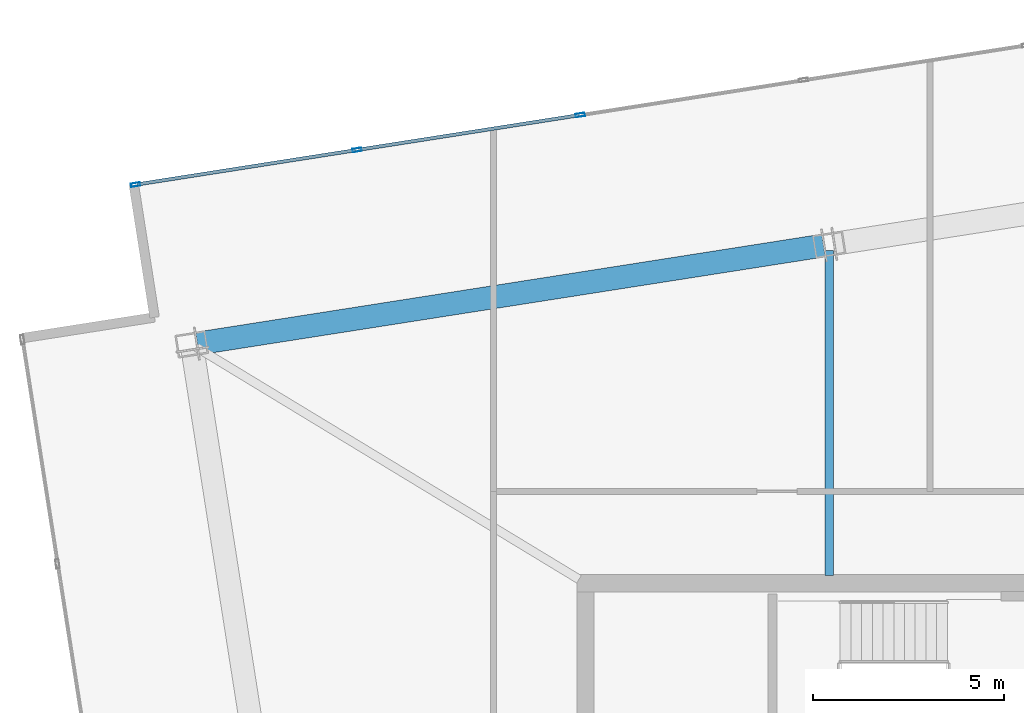
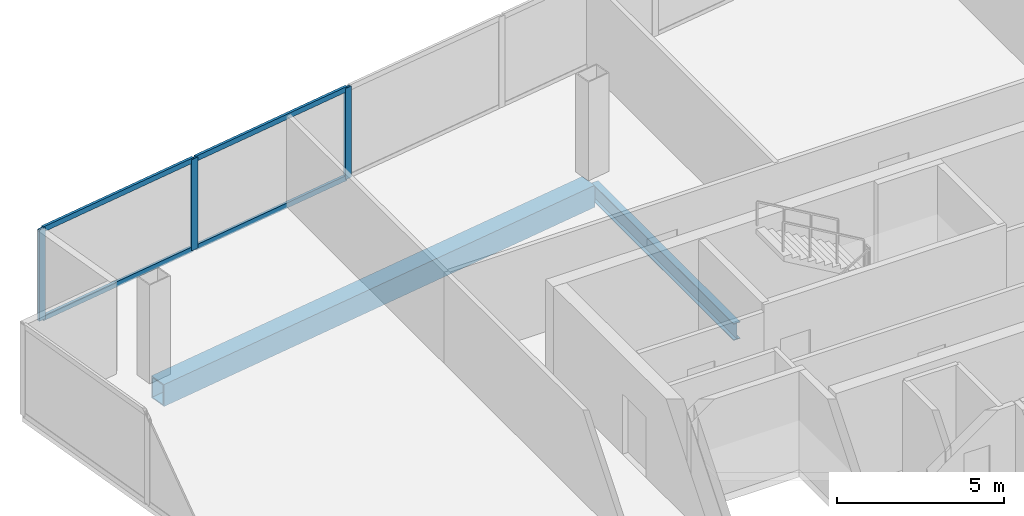
# One storey, part 10 of 17: 7 members, 2 beams, 1 element without a shape of its own.
"""IFC4 building model written with IfcOpenShell, lengths in metres."""

import ifcopenshell
import ifcopenshell.guid

model = None  # the IFC model being written
_history = None  # IfcOwnerHistory: only IFC2X3 demands one
_inside = {}  # id of a spatial element -> (the spatial element, [elements in it])
_under = {}  # id of a project, library or spatial element -> (it, [spatial elements below it])
_declared = {}  # id of a project -> (the project, [libraries it declares])
_typed = {}  # id of a type object -> (the type object, [elements of that type])
_made_of = {}  # id of a material, layer set ... -> (it, [elements and type objects made of it])


def new_model(schema):
    """Start an empty IFC model of exactly this schema.

    Asked for "IFC4X3", IfcOpenShell would pick the latest addendum, in which some entities
    have other attributes; the version numbers below select the first issue.
    IFC2X3 requires an IfcOwnerHistory on every rooted entity: one is made here for all.
    """
    global model, _history
    if schema == "IFC4X3":
        model = ifcopenshell.file(schema_version=(4, 3, 0, 0))
    else:
        model = ifcopenshell.file(schema=schema)
    _inside.clear()
    _under.clear()
    _declared.clear()
    _typed.clear()
    _made_of.clear()
    _history = None
    if model.schema == "IFC2X3":
        org = make("IfcOrganization", Name="unknown")
        user = make(
            "IfcPersonAndOrganization",
            ThePerson=make("IfcPerson", FamilyName="unknown"),
            TheOrganization=org,
        )
        app = make(
            "IfcApplication",
            ApplicationDeveloper=org,
            Version="unknown",
            ApplicationFullName="unknown",
            ApplicationIdentifier="unknown",
        )
        _history = make(
            "IfcOwnerHistory",
            OwningUser=user,
            OwningApplication=app,
            ChangeAction="ADDED",
            CreationDate=0,
        )
    return model


def make(cls, **values):
    """One entity of the class cls with the attributes given. An attribute that is None is left unset."""
    return model.create_entity(
        cls, **{name: value for name, value in values.items() if value is not None}
    )


def rooted(cls, **values):
    """An entity with a GlobalId (a new one), such as an element, a storey or a relation."""
    return make(cls, GlobalId=ifcopenshell.guid.new(), OwnerHistory=_history, **values)


def si_unit(unit_type, name, prefix=None):
    """IfcSIUnit, for example si_unit("LENGTHUNIT", "METRE", prefix="MILLI")."""
    return make("IfcSIUnit", UnitType=unit_type, Prefix=prefix, Name=name)


def assignment(units):
    """IfcUnitAssignment: the units of a project."""
    return None if units is None else make("IfcUnitAssignment", Units=units)


def point(xyz):
    """IfcCartesianPoint."""
    return None if xyz is None else make("IfcCartesianPoint", Coordinates=xyz)


def direction(xyz):
    """IfcDirection."""
    return None if xyz is None else make("IfcDirection", DirectionRatios=xyz)


def frame(location, z_axis=None, x_axis=None):
    """IfcAxis2Placement3D, a coordinate frame: its origin and axes. An axis left out is left unset."""
    return make(
        "IfcAxis2Placement3D",
        Location=point(location),
        Axis=direction(z_axis),
        RefDirection=direction(x_axis),
    )


def frame_2d(location, x_axis=None):
    """IfcAxis2Placement2D, a coordinate frame in the plane: its origin and x axis."""
    return make(
        "IfcAxis2Placement2D", Location=point(location), RefDirection=direction(x_axis)
    )


def origin():
    """The frame at (0, 0, 0) with its axes left unset."""
    return frame((0.0, 0.0, 0.0))


def origin_2d():
    """The frame at (0, 0) in the plane with its x axis left unset."""
    return frame_2d((0.0, 0.0))


def place(relative_to, where):
    """IfcLocalPlacement: puts the frame where relative to a parent placement (None: the world)."""
    return make(
        "IfcLocalPlacement", PlacementRelTo=relative_to, RelativePlacement=where
    )


def context(
    kind, dimensions, precision=None, world=None, true_north=None, identifier=None
):
    """IfcGeometricRepresentationContext, for example the 3D "Model" context."""
    return make(
        "IfcGeometricRepresentationContext",
        ContextIdentifier=identifier,
        ContextType=kind,
        CoordinateSpaceDimension=dimensions,
        Precision=precision,
        WorldCoordinateSystem=world,
        TrueNorth=true_north,
    )


def subcontext(parent, identifier, kind, view, scale=None):
    """IfcGeometricRepresentationSubContext, for example "Body" below "Model"."""
    return make(
        "IfcGeometricRepresentationSubContext",
        ContextIdentifier=identifier,
        ContextType=kind,
        ParentContext=parent,
        TargetScale=scale,
        TargetView=view,
    )


def project(units=None, contexts=None):
    """IfcProject with its units and contexts."""
    return rooted(
        "IfcProject",
        Name="project",
        RepresentationContexts=contexts,
        UnitsInContext=assignment(units),
    )


def spatial(cls, under=None, at=None, **own):
    """A site, building, storey or space (cls), placed at a placement, below another one or the project."""
    s = rooted(cls, ObjectPlacement=at, **own)
    if under is not None:
        _under.setdefault(under.id(), (under, []))[1].append(s)
    return s


def profile(cls, at=None, kind="AREA", **sizes):
    """A parametric profile (cls). Its sizes go by their IFC names, for example OverallWidth=200.0."""
    return make(cls, ProfileType=kind, Position=at, **sizes)


def hollow_rectangle(**sizes):
    """IfcRectangleHollowProfileDef."""
    return profile("IfcRectangleHollowProfileDef", **sizes)


def i_section(**sizes):
    """IfcIShapeProfileDef."""
    return profile("IfcIShapeProfileDef", **sizes)


def extrude(swept, where, along, depth):
    """IfcExtrudedAreaSolid: the profile swept, set in the frame where, extruded along a direction by depth."""
    return make(
        "IfcExtrudedAreaSolid",
        SweptArea=swept,
        Position=where,
        ExtrudedDirection=direction(along),
        Depth=depth,
    )


def shape(context_of_items, identifier, shape_type, items):
    """IfcShapeRepresentation: the items that make up one representation, for example the "Body"."""
    return make(
        "IfcShapeRepresentation",
        ContextOfItems=context_of_items,
        RepresentationIdentifier=identifier,
        RepresentationType=shape_type,
        Items=items,
    )


def material(Name=None, Category=None):
    """IfcMaterial."""
    return make("IfcMaterial", Name=Name, Category=Category)


def material_profile(
    of_material, cross_section, Name=None, Category=None, Priority=None
):
    """IfcMaterialProfile: a cross section and its material."""
    return make(
        "IfcMaterialProfile",
        Name=Name,
        Material=of_material,
        Profile=cross_section,
        Priority=Priority,
        Category=Category,
    )


def profile_set(profiles, Name=None, composite=None):
    """IfcMaterialProfileSet."""
    return make(
        "IfcMaterialProfileSet",
        Name=Name,
        MaterialProfiles=profiles,
        CompositeProfile=composite,
    )


def made_of(thing, what):
    """Note that an element or type object is made of a material, layer set ...; save() writes the relation."""
    if what is not None:
        _made_of.setdefault(what.id(), (what, []))[1].append(thing)
    return thing


def type_object(cls, material=None, **own):
    """A type object (cls), such as IfcWallType, which elements share."""
    return made_of(rooted(cls, **own), material)


def element(
    cls,
    number,
    at=None,
    inside=None,
    cuts=None,
    type_object=None,
    material=None,
    context=None,
    identifier="Body",
    shape_type=None,
    held_by="IfcProductDefinitionShape",
    body=None,
    shapes=None,
    **own,
):
    """One element of the class cls, such as IfcWall. Its Tag is "e" and its number.

    at: its placement. inside: the storey or other place that contains it. cuts: it is an
    opening in that element (IfcRelVoidsElement). A single representation is given by context,
    identifier, shape_type and body (its items); several are given by shapes. held_by: the class
    of the entity that holds the representations. save() writes the other relations.
    """
    e = rooted(cls, Tag="e%d" % number, ObjectPlacement=at, **own)
    if body is not None:
        shapes = [shape(context, identifier, shape_type, body)]
    if shapes is not None:
        e.Representation = make(held_by, Representations=shapes)
    if inside is not None:
        _inside.setdefault(inside.id(), (inside, []))[1].append(e)
    if cuts is not None:
        rooted(
            "IfcRelVoidsElement", RelatingBuildingElement=cuts, RelatedOpeningElement=e
        )
    if type_object is not None:
        _typed.setdefault(type_object.id(), (type_object, []))[1].append(e)
    return made_of(e, material)


def aggregate(whole, parts):
    """IfcRelAggregates: a whole, such as a stair, and the parts it consists of."""
    return rooted("IfcRelAggregates", RelatingObject=whole, RelatedObjects=parts)


def save(model, path):
    """Write the relations noted so far, then the file.

    IfcRelAggregates (storeys below a building ...), IfcRelContainedInSpatialStructure (elements
    in a storey), IfcRelDefinesByType, IfcRelAssociatesMaterial and IfcRelDeclares: one each for
    every whole, place, type object, material and project.
    """
    for whole, parts in _under.values():
        aggregate(whole, parts)
    for where, things in _inside.values():
        rooted(
            "IfcRelContainedInSpatialStructure",
            RelatedElements=things,
            RelatingStructure=where,
        )
    for kind, things in _typed.values():
        rooted("IfcRelDefinesByType", RelatedObjects=things, RelatingType=kind)
    for what, things in _made_of.values():
        rooted("IfcRelAssociatesMaterial", RelatedObjects=things, RelatingMaterial=what)
    for by, libraries in _declared.values():
        rooted("IfcRelDeclares", RelatingContext=by, RelatedDefinitions=libraries)
    model.write(path)


model = new_model("IFC4")

# Units and contexts
model_context = context("Model", 3, precision=1e-05, world=origin(), true_north=direction((0.0, 1.0)))
body_context = subcontext(model_context, "Body", "Model", "MODEL_VIEW")
ifc_project = project(units=[si_unit("LENGTHUNIT", "METRE"), si_unit("AREAUNIT", "SQUARE_METRE"), si_unit("VOLUMEUNIT", "CUBIC_METRE"), si_unit("PLANEANGLEUNIT", "RADIAN"), si_unit("MASSUNIT", "GRAM", prefix="KILO")], contexts=[model_context])

# Site, building, storey
site_placement = place(None, origin())
site = spatial("IfcSite", under=ifc_project, at=site_placement, CompositionType="ELEMENT")
building_placement = place(site_placement, origin())
building = spatial("IfcBuilding", under=site, at=building_placement, Name="Haldenkirk Collegiate Tower", CompositionType="ELEMENT")
storey_placement = place(building_placement, frame((0.0, 0.0, 364.199951171875)))
storey = spatial("IfcBuildingStorey", under=building, at=storey_placement, Name="L92", CompositionType="ELEMENT", Elevation=364.199951171875)

# Beams
ifc_material_1 = material(Name="Steel ASTM A992 Grade 50", Category="steel")
ifc_material_profile_1 = material_profile(ifc_material_1, i_section(OverallWidth=0.22998046875, OverallDepth=0.616943359375, WebThickness=0.01318359375, FlangeThickness=0.022216796875, at=origin_2d()), Name="W24X94")
ifc_profile_set_1 = profile_set([ifc_material_profile_1], Name="Steel ASTM A992 Grade 50")
beam_type_1 = type_object("IfcBeamType", Name="BM-GIRDER-W24X94", PredefinedType="BEAM", material=ifc_profile_set_1)
beam_1_placement = place(storey_placement, frame((33.3623046875, 42.694580078125, -0.578369140625), z_axis=(0.0, -1.0, 0.0), x_axis=(1.0, 0.0, 0.0)))
element("IfcBeam", 1, at=beam_1_placement, inside=storey, type_object=beam_type_1, Name="L92 crown radial floor beam 4", PredefinedType="BEAM", context=body_context, shape_type="SweptSolid", body=[
    extrude(i_section(OverallWidth=0.22998046875, OverallDepth=0.616943359375, WebThickness=0.01318359375, FlangeThickness=0.022216796875, at=origin_2d()), origin(), (0.0, 0.0, 1.0), 8.49462890625),
])
ifc_material_2 = material(Name="Steel ASTM A572 Grade 50", Category="steel")
ifc_material_profile_2 = material_profile(ifc_material_2, hollow_rectangle(XDim=0.60009765625, YDim=0.800048828125, WallThickness=0.0400390625, at=origin_2d()), Name="BOX800X600X40")
ifc_profile_set_2 = profile_set([ifc_material_profile_2], Name="Steel ASTM A572 Grade 50")
beam_type_2 = type_object("IfcBeamType", Name="BM-SPANDREL-BOX800X600X40", PredefinedType="SPANDREL", material=ifc_profile_set_2)
beam_2_placement = place(storey_placement, frame((33.214111328125, 42.821533203125, -0.669921875), z_axis=(-0.987959171117, -0.154714822192, 0.0), x_axis=(0.154714822192, -0.987959171117, 0.0)))
element("IfcBeam", 2, at=beam_2_placement, inside=storey, type_object=beam_type_2, Name="L92 Crown Ring Frame perimeter girder 4", PredefinedType="SPANDREL", context=body_context, shape_type="SweptSolid", body=[
    extrude(hollow_rectangle(XDim=0.60009765625, YDim=0.800048828125, WallThickness=0.0400390625, at=origin_2d()), origin(), (0.0, 0.0, 1.0), 16.550048828125),
])

# Curtain wall, members
ifc_material_3 = material(Name="Anodised architectural bronze aluminium", Category="aluminium")
curtain_wall_type = type_object("IfcCurtainWallType", Name="CW-SYS6-CROWN", PredefinedType="USERDEFINED", material=ifc_material_3)
curtain_wall_placement = place(storey_placement, origin())
curtain_wall = element("IfcCurtainWall", 3, at=curtain_wall_placement, inside=storey, type_object=curtain_wall_type, Name="L92 Closed crown ring ceramic-fritted bronze screen curtain wall", ObjectType="UNITISED CURTAIN WALL", PredefinedType="USERDEFINED")
ifc_material_profile_3 = material_profile(ifc_material_3, hollow_rectangle(XDim=0.090087890625, YDim=0.239990234375, WallThickness=0.0048828125, at=origin_2d()), Name="CW-MUL-06")
ifc_profile_set_3 = profile_set([ifc_material_profile_3], Name="Anodised architectural bronze aluminium")
member_type_1 = type_object("IfcMemberType", Name="CW-MUL-06", PredefinedType="MULLION", material=ifc_profile_set_3)
member_1_placement = place(storey_placement, frame((15.246826171875, 44.410888671875, 0.0), z_axis=(0.0, 0.0, 1.0), x_axis=(-0.154708982189, 0.987960085646, 0.0)))
member_1 = element("IfcMember", 4, at=member_1_placement, type_object=member_type_1, Name="CW-06 mullion 1", PredefinedType="MULLION", context=body_context, shape_type="SweptSolid", body=[
    extrude(hollow_rectangle(XDim=0.090087890625, YDim=0.239990234375, WallThickness=0.0048828125, at=origin_2d()), origin(), (0.0, 0.0, 1.0), 3.330078125),
])
member_2_placement = place(storey_placement, frame((21.03125, 45.31689453125, 0.0), z_axis=(0.0, 0.0, 1.0), x_axis=(-0.154708982189, 0.987960085646, 0.0)))
member_2 = element("IfcMember", 5, at=member_2_placement, type_object=member_type_1, Name="CW-06 mullion 2", PredefinedType="MULLION", context=body_context, shape_type="SweptSolid", body=[
    extrude(hollow_rectangle(XDim=0.090087890625, YDim=0.239990234375, WallThickness=0.0048828125, at=origin_2d()), origin(), (0.0, 0.0, 1.0), 3.330078125),
])
member_3_placement = place(storey_placement, frame((26.8603515625, 46.2294921875, 0.0), z_axis=(0.0, 0.0, 1.0), x_axis=(-0.154708982189, 0.987960085646, 0.0)))
member_3 = element("IfcMember", 6, at=member_3_placement, type_object=member_type_1, Name="CW-06 mullion 3", PredefinedType="MULLION", context=body_context, shape_type="SweptSolid", body=[
    extrude(hollow_rectangle(XDim=0.090087890625, YDim=0.239990234375, WallThickness=0.0048828125, at=origin_2d()), origin(), (0.0, 0.0, 1.0), 3.330078125),
])
ifc_material_profile_4 = material_profile(ifc_material_3, hollow_rectangle(XDim=0.090087890625, YDim=0.18994140625, WallThickness=0.0048828125, at=origin_2d()), Name="CW-TRN-06")
ifc_profile_set_4 = profile_set([ifc_material_profile_4], Name="Anodised architectural bronze aluminium")
member_type_2 = type_object("IfcMemberType", Name="CW-TRN-06", PredefinedType="USERDEFINED", material=ifc_profile_set_4)
member_4_placement = place(storey_placement, frame((15.291259765625, 44.41796875, 0.045166015625), z_axis=(0.987961315074, 0.154701130951, 0.0), x_axis=(-0.154701130951, 0.987961315074, 0.0)))
member_4 = element("IfcMember", 7, at=member_4_placement, type_object=member_type_2, Name="CW-06 transom 1.1", ObjectType="TRANSOM", PredefinedType="USERDEFINED", context=body_context, shape_type="SweptSolid", body=[
    extrude(hollow_rectangle(XDim=0.090087890625, YDim=0.18994140625, WallThickness=0.0048828125, at=origin_2d()), origin(), (0.0, 0.0, 1.0), 5.764892578125),
])
member_5_placement = place(storey_placement, frame((15.291259765625, 44.41796875, 3.28515625), z_axis=(0.987961315074, 0.154701130951, 0.0), x_axis=(-0.154701130951, 0.987961315074, 0.0)))
member_5 = element("IfcMember", 8, at=member_5_placement, type_object=member_type_2, Name="CW-06 transom 1.2", ObjectType="TRANSOM", PredefinedType="USERDEFINED", context=body_context, shape_type="SweptSolid", body=[
    extrude(hollow_rectangle(XDim=0.090087890625, YDim=0.18994140625, WallThickness=0.0048828125, at=origin_2d()), origin(), (0.0, 0.0, 1.0), 5.764892578125),
])
member_6_placement = place(storey_placement, frame((21.07568359375, 45.32373046875, 0.045166015625), z_axis=(0.987958095237, 0.154721692257, 0.0), x_axis=(-0.154721692257, 0.987958095237, 0.0)))
member_6 = element("IfcMember", 9, at=member_6_placement, type_object=member_type_2, Name="CW-06 transom 2.1", ObjectType="TRANSOM", PredefinedType="USERDEFINED", context=body_context, shape_type="SweptSolid", body=[
    extrude(hollow_rectangle(XDim=0.090087890625, YDim=0.18994140625, WallThickness=0.0048828125, at=origin_2d()), origin(), (0.0, 0.0, 1.0), 5.81005859375),
])
member_7_placement = place(storey_placement, frame((21.07568359375, 45.32373046875, 3.28515625), z_axis=(0.987958095237, 0.154721692257, 0.0), x_axis=(-0.154721692257, 0.987958095237, 0.0)))
member_7 = element("IfcMember", 10, at=member_7_placement, type_object=member_type_2, Name="CW-06 transom 2.2", ObjectType="TRANSOM", PredefinedType="USERDEFINED", context=body_context, shape_type="SweptSolid", body=[
    extrude(hollow_rectangle(XDim=0.090087890625, YDim=0.18994140625, WallThickness=0.0048828125, at=origin_2d()), origin(), (0.0, 0.0, 1.0), 5.81005859375),
])
aggregate(curtain_wall, [member_1, member_2, member_3, member_4, member_5, member_6, member_7])

save(model, "model.ifc")
